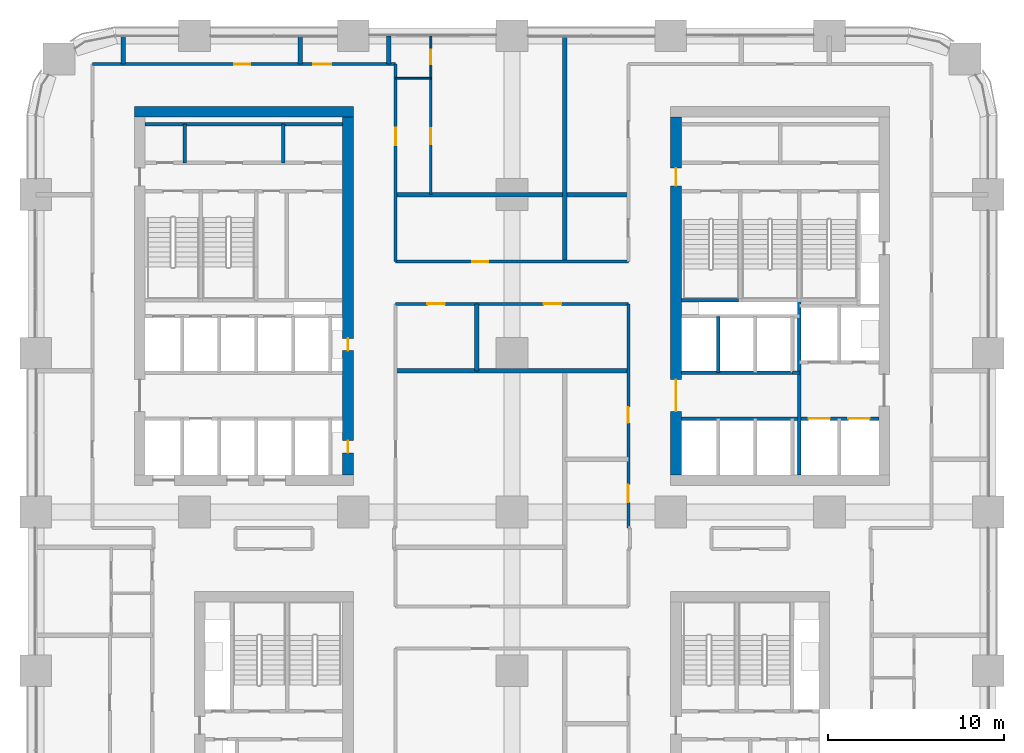
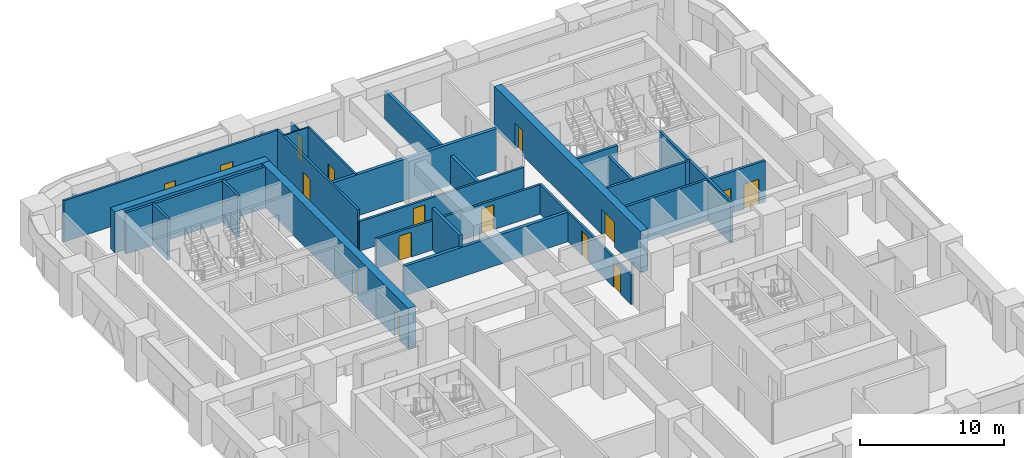
# One storey, part 17 of 21: 27 walls, 16 doors, 16 openings.
"""IFC4 building model written with IfcOpenShell, lengths in metres."""

from ifc_helpers import new_model, si_unit, direction, frame, frame_2d, origin, place, context, subcontext, project, spatial, rectangle, extrude, material, layer, layer_set, type_object, element, fill, save


model = new_model("IFC4")

# Units and contexts
model_context = context("Model", 3, precision=1e-05, world=origin(), true_north=direction((0.0, 1.0)))
body_context = subcontext(model_context, "Body", "Model", "MODEL_VIEW")
ifc_project = project(units=[si_unit("LENGTHUNIT", "METRE"), si_unit("AREAUNIT", "SQUARE_METRE"), si_unit("VOLUMEUNIT", "CUBIC_METRE"), si_unit("PLANEANGLEUNIT", "RADIAN"), si_unit("MASSUNIT", "GRAM", prefix="KILO")], contexts=[model_context])

# Site, building, storey
site_placement = place(None, origin())
site = spatial("IfcSite", under=ifc_project, at=site_placement, CompositionType="ELEMENT")
building_placement = place(site_placement, origin())
building = spatial("IfcBuilding", under=site, at=building_placement, Name="Tessera Arch", CompositionType="ELEMENT")
storey_placement = place(building_placement, frame((0.0, 0.0, 50.0)))
storey = spatial("IfcBuildingStorey", under=building, at=storey_placement, Name="L10", CompositionType="ELEMENT", Elevation=50.0)

# Walls
ifc_material_1 = material(Name="Gypsum board on steel stud", Category="steel")
ifc_layer_1 = layer(ifc_material_1, 0.125)
ifc_layer_set_1 = layer_set([ifc_layer_1], Name="Core partition 125 EI 60")
wall_type_1 = type_object("IfcWallType", Name="Core partition 125 EI 60", PredefinedType="PARTITIONING", material=ifc_layer_set_1)
wall_1_placement = place(storey_placement, frame((42.89990234375, 34.89990234375, 0.0), z_axis=(0.0, 0.0, 1.0), x_axis=(1.0, 0.0, 0.0)))
element("IfcWall", 1, at=wall_1_placement, inside=storey, type_object=wall_type_1, Name="L10 C1 partition wall 19", PredefinedType="PARTITIONING", context=body_context, shape_type="SweptSolid", body=[
    extrude(rectangle(XDim=0.400146484375, YDim=0.199951171875, at=frame_2d((0.2001953125, 0.0))), origin(), (0.0, 0.0, 1.0), 3.5),
])
for number, where, z_axis, x_axis, name in (
    (2, (8.43994140625, 46.800048828125, 0.0), (0.0, 0.0, 1.0), (0.0, 1.0, 0.0), "L10 C2 partition wall 3"),
    (3, (14.0400390625, 46.800048828125, 0.0), (0.0, 0.0, 1.0), (0.0, 1.0, 0.0), "L10 C2 partition wall 12"),
):
    element("IfcWall", number, at=place(storey_placement, frame(where, z_axis=z_axis, x_axis=x_axis)), inside=storey, type_object=wall_type_1, Name=name, PredefinedType="PARTITIONING", context=body_context, shape_type="SweptSolid", body=[
        extrude(rectangle(XDim=2.199951171875, YDim=0.199951171875, at=frame_2d((1.10009765625, 0.0))), origin(), (0.0, 0.0, 1.0), 3.5),
    ])
wall_2_placement = place(storey_placement, frame((6.199951171875, 49.0, 0.0), z_axis=(0.0, 0.0, 1.0), x_axis=(1.0, 0.0, 0.0)))
element("IfcWall", 4, at=wall_2_placement, inside=storey, type_object=wall_type_1, Name="L10 C2 partition wall 28", PredefinedType="PARTITIONING", context=body_context, shape_type="SweptSolid", body=[
    extrude(rectangle(XDim=11.199951171875, YDim=0.199951171875, at=frame_2d((5.60009765625, 0.0))), origin(), (0.0, 0.0, 1.0), 3.5),
])

# Wall, openings, doors
ifc_material_2 = material(Name="Concrete C70/85", Category="concrete")
ifc_layer_2 = layer(ifc_material_2, 0.60009765625)
ifc_layer_set_2 = layer_set([ifc_layer_2], Name="Core shell wall 600 C70-85")
wall_type_2 = type_object("IfcWallType", Name="Core shell wall 600 C70-85", PredefinedType="SHEAR", material=ifc_layer_set_2)
wall_3_placement = place(storey_placement, frame((36.300048828125, 29.10009765625, 0.0), z_axis=(0.0, 0.0, 1.0), x_axis=(0.0, 1.0, 0.0)))
wall_3 = element("IfcWall", 5, at=wall_3_placement, inside=storey, type_object=wall_type_2, Name="L10 C1 core wall W", PredefinedType="SHEAR", context=body_context, shape_type="SweptSolid", body=[
    extrude(rectangle(XDim=20.2998046875, YDim=0.60009765625, at=frame_2d((10.14990234375, 0.0))), origin(), (0.0, 0.0, 1.0), 3.5),
])
opening_1_placement = place(wall_3_placement, frame((3.60009765625, 0.0, 0.0)))
opening_1 = element("IfcOpeningElement", 6, at=opening_1_placement, cuts=wall_3, Name="Opening L10-C04", PredefinedType="OPENING", context=body_context, shape_type="SweptSolid", body=[
    extrude(rectangle(XDim=1.800048828125, YDim=2.10009765625, at=frame_2d((0.89990234375, 1.050048828125))), frame((0.0, 0.31005859375, 0.0), z_axis=(0.0, -1.0, 0.0), x_axis=(1.0, 0.0, 0.0)), (0.0, 0.0, 1.0), 0.6201171875),
])
opening_2_placement = place(wall_3_placement, frame((16.39990234375, 0.0, 0.0)))
opening_2 = element("IfcOpeningElement", 7, at=opening_2_placement, cuts=wall_3, Name="Opening L10-C11", PredefinedType="OPENING", context=body_context, shape_type="SweptSolid", body=[
    extrude(rectangle(XDim=1.0, YDim=2.10009765625, at=frame_2d((0.5, 1.050048828125))), frame((0.0, 0.31005859375, 0.0), z_axis=(0.0, -1.0, 0.0), x_axis=(1.0, 0.0, 0.0)), (0.0, 0.0, 1.0), 0.6201171875),
])
ifc_material_3 = material(Name="Steel door leaf", Category="steel")
door_type_1 = type_object("IfcDoorType", Name="Corridor door FD60 1000 x 2100", OperationType="SINGLE_SWING_LEFT", PredefinedType="DOOR", material=ifc_material_3)
door_1_placement = place(opening_2_placement, origin())
door_1 = element("IfcDoor", 8, at=door_1_placement, inside=storey, type_object=door_type_1, Name="L10 C1 door 11 C11 type D12", OperationType="SINGLE_SWING_RIGHT", OverallHeight=2.10009765625, OverallWidth=1.0, PredefinedType="DOOR", context=body_context, shape_type="SweptSolid", body=[
    extrude(rectangle(XDim=1.0, YDim=2.10009765625, at=frame_2d((0.5, 1.050048828125))), frame((0.0, 0.02490234375, 0.0), z_axis=(0.0, -1.0, 0.0), x_axis=(1.0, 0.0, 0.0)), (0.0, 0.0, 1.0), 0.050048828125),
])
fill(opening_2, door_1)
ifc_material_4 = material(Name="Glazed steel door leaf", Category="steel")
door_type_2 = type_object("IfcDoorType", Name="Lobby double door FD30S 1800 x 2100", OperationType="DOUBLE_DOOR_SINGLE_SWING", PredefinedType="DOOR", material=ifc_material_4)
door_2_placement = place(opening_1_placement, origin())
door_2 = element("IfcDoor", 9, at=door_2_placement, inside=storey, type_object=door_type_2, Name="L10 C1 door 4 C04 type D06", OperationType="DOUBLE_DOOR_SINGLE_SWING", OverallHeight=2.10009765625, OverallWidth=1.800048828125, PredefinedType="DOOR", context=body_context, shape_type="SweptSolid", body=[
    extrude(rectangle(XDim=1.800048828125, YDim=2.10009765625, at=frame_2d((0.89990234375, 1.050048828125))), frame((0.0, 0.02490234375, 0.0), z_axis=(0.0, -1.0, 0.0), x_axis=(1.0, 0.0, 0.0)), (0.0, 0.0, 1.0), 0.050048828125),
])
fill(opening_1, door_2)

# Wall
wall_4_placement = place(storey_placement, frame((5.60009765625, 49.699951171875, 0.0), z_axis=(0.0, 0.0, 1.0), x_axis=(1.0, 0.0, 0.0)))
element("IfcWall", 10, at=wall_4_placement, inside=storey, type_object=wall_type_2, Name="L10 C2 core wall N", PredefinedType="SHEAR", context=body_context, shape_type="SweptSolid", body=[
    extrude(rectangle(XDim=12.39990234375, YDim=0.60009765625, at=frame_2d((6.199951171875, 0.0))), origin(), (0.0, 0.0, 1.0), 3.5),
])

# Wall, openings, doors
wall_5_placement = place(storey_placement, frame((17.699951171875, 29.10009765625, 0.0), z_axis=(0.0, 0.0, 1.0), x_axis=(0.0, 1.0, 0.0)))
wall_5 = element("IfcWall", 11, at=wall_5_placement, inside=storey, type_object=wall_type_2, Name="L10 C2 core wall E", PredefinedType="SHEAR", context=body_context, shape_type="SweptSolid", body=[
    extrude(rectangle(XDim=20.2998046875, YDim=0.60009765625, at=frame_2d((10.14990234375, 0.0))), origin(), (0.0, 0.0, 1.0), 3.5),
])
opening_3_placement = place(wall_5_placement, frame((1.25, 0.0, 0.0)))
opening_3 = element("IfcOpeningElement", 12, at=opening_3_placement, cuts=wall_5, Name="Opening L10-C22", PredefinedType="OPENING", context=body_context, shape_type="SweptSolid", body=[
    extrude(rectangle(XDim=0.699951171875, YDim=2.10009765625, at=frame_2d((0.35009765625, 1.050048828125))), frame((0.0, 0.31005859375, 0.0), z_axis=(0.0, -1.0, 0.0), x_axis=(1.0, 0.0, 0.0)), (0.0, 0.0, 1.0), 0.6201171875),
])
opening_4_placement = place(wall_5_placement, frame((7.050048828125, 0.0, 0.0)))
opening_4 = element("IfcOpeningElement", 13, at=opening_4_placement, cuts=wall_5, Name="Opening L10-C23", PredefinedType="OPENING", context=body_context, shape_type="SweptSolid", body=[
    extrude(rectangle(XDim=0.699951171875, YDim=2.10009765625, at=frame_2d((0.35009765625, 1.050048828125))), frame((0.0, 0.31005859375, 0.0), z_axis=(0.0, -1.0, 0.0), x_axis=(1.0, 0.0, 0.0)), (0.0, 0.0, 1.0), 0.6201171875),
])
ifc_material_5 = material(Name="Steel door leaf", Category="steel")
door_type_3 = type_object("IfcDoorType", Name="Service shaft door FD60 700 x 2100", OperationType="SINGLE_SWING_LEFT", PredefinedType="DOOR", material=ifc_material_5)
door_3_placement = place(opening_3_placement, origin())
door_3 = element("IfcDoor", 14, at=door_3_placement, inside=storey, type_object=door_type_3, Name="L10 C2 door 9 C22 type D07", OperationType="SINGLE_SWING_LEFT", OverallHeight=2.10009765625, OverallWidth=0.699951171875, PredefinedType="DOOR", context=body_context, shape_type="SweptSolid", body=[
    extrude(rectangle(XDim=0.699951171875, YDim=2.10009765625, at=frame_2d((0.35009765625, 1.050048828125))), frame((0.0, 0.02490234375, 0.0), z_axis=(0.0, -1.0, 0.0), x_axis=(1.0, 0.0, 0.0)), (0.0, 0.0, 1.0), 0.050048828125),
])
fill(opening_3, door_3)
door_4_placement = place(opening_4_placement, origin())
door_4 = element("IfcDoor", 15, at=door_4_placement, inside=storey, type_object=door_type_3, Name="L10 C2 door 10 C23 type D07", OperationType="SINGLE_SWING_LEFT", OverallHeight=2.10009765625, OverallWidth=0.699951171875, PredefinedType="DOOR", context=body_context, shape_type="SweptSolid", body=[
    extrude(rectangle(XDim=0.699951171875, YDim=2.10009765625, at=frame_2d((0.35009765625, 1.050048828125))), frame((0.0, 0.02490234375, 0.0), z_axis=(0.0, -1.0, 0.0), x_axis=(1.0, 0.0, 0.0)), (0.0, 0.0, 1.0), 0.050048828125),
])
fill(opening_4, door_4)

ifc_material_6 = material(Name="Gypsum board on deep steel stud with mineral wool", Category="steel")
ifc_layer_3 = layer(ifc_material_6, 0.175048828125)
ifc_layer_set_3 = layer_set([ifc_layer_3], Name="Corridor wall 175 EI 60")
wall_type_3 = type_object("IfcWallType", Name="Corridor wall 175 EI 60", PredefinedType="PARTITIONING", material=ifc_layer_set_3)
wall_6_placement = place(storey_placement, frame((20.39990234375, 38.800048828125, 0.0), z_axis=(0.0, 0.0, 1.0), x_axis=(1.0, 0.0, 0.0)))
wall_6 = element("IfcWall", 16, at=wall_6_placement, inside=storey, type_object=wall_type_3, Name="L10 partition 17", PredefinedType="PARTITIONING", context=body_context, shape_type="SweptSolid", body=[
    extrude(rectangle(XDim=13.2001953125, YDim=0.175048828125, at=frame_2d((6.60009765625, 0.0))), origin(), (0.0, 0.0, 1.0), 2.5),
])
opening_5_placement = place(wall_6_placement, frame((1.800048828125, 0.0, 0.0)))
opening_5 = element("IfcOpeningElement", 17, at=opening_5_placement, cuts=wall_6, Name="Opening L10-D029", PredefinedType="OPENING", context=body_context, shape_type="SweptSolid", body=[
    extrude(rectangle(XDim=1.0, YDim=2.10009765625, at=frame_2d((0.5, 1.050048828125))), frame((0.0, 0.097412109375, 0.0), z_axis=(0.0, -1.0, 0.0), x_axis=(1.0, 0.0, 0.0)), (0.0, 0.0, 1.0), 0.195068359375),
])
opening_6_placement = place(wall_6_placement, frame((8.39990234375, 0.0, 0.0)))
opening_6 = element("IfcOpeningElement", 18, at=opening_6_placement, cuts=wall_6, Name="Opening L10-D030", PredefinedType="OPENING", context=body_context, shape_type="SweptSolid", body=[
    extrude(rectangle(XDim=1.0, YDim=2.10009765625, at=frame_2d((0.5, 1.050048828125))), frame((0.0, 0.097412109375, 0.0), z_axis=(0.0, -1.0, 0.0), x_axis=(1.0, 0.0, 0.0)), (0.0, 0.0, 1.0), 0.195068359375),
])
ifc_material_7 = material(Name="Fire-rated door leaf")
door_type_4 = type_object("IfcDoorType", Name="Entrance door FD30S 1000 x 2100", OperationType="SINGLE_SWING_LEFT", PredefinedType="DOOR", material=ifc_material_7)
door_5_placement = place(opening_5_placement, origin())
door_5 = element("IfcDoor", 19, at=door_5_placement, inside=storey, type_object=door_type_4, Name="L10 door D029 type D03", OperationType="SINGLE_SWING_RIGHT", OverallHeight=2.10009765625, OverallWidth=1.0, PredefinedType="DOOR", context=body_context, shape_type="SweptSolid", body=[
    extrude(rectangle(XDim=1.0, YDim=2.10009765625, at=frame_2d((0.5, 1.050048828125))), frame((0.0, 0.02490234375, 0.0), z_axis=(0.0, -1.0, 0.0), x_axis=(1.0, 0.0, 0.0)), (0.0, 0.0, 1.0), 0.050048828125),
])
fill(opening_5, door_5)
door_6_placement = place(opening_6_placement, origin())
door_6 = element("IfcDoor", 20, at=door_6_placement, inside=storey, type_object=door_type_4, Name="L10 door D030 type D03", OperationType="SINGLE_SWING_LEFT", OverallHeight=2.10009765625, OverallWidth=1.0, PredefinedType="DOOR", context=body_context, shape_type="SweptSolid", body=[
    extrude(rectangle(XDim=1.0, YDim=2.10009765625, at=frame_2d((0.5, 1.050048828125))), frame((0.0, 0.02490234375, 0.0), z_axis=(0.0, -1.0, 0.0), x_axis=(1.0, 0.0, 0.0)), (0.0, 0.0, 1.0), 0.050048828125),
])
fill(opening_6, door_6)

# Wall, opening, door
wall_7_placement = place(storey_placement, frame((20.39990234375, 41.199951171875, 0.0), z_axis=(0.0, 0.0, 1.0), x_axis=(1.0, 0.0, 0.0)))
wall_7 = element("IfcWall", 21, at=wall_7_placement, inside=storey, type_object=wall_type_3, Name="L10 partition 18", PredefinedType="PARTITIONING", context=body_context, shape_type="SweptSolid", body=[
    extrude(rectangle(XDim=13.2001953125, YDim=0.175048828125, at=frame_2d((6.60009765625, 0.0))), origin(), (0.0, 0.0, 1.0), 2.5),
])
opening_7_placement = place(wall_7_placement, frame((4.35009765625, 0.0, 0.0)))
opening_7 = element("IfcOpeningElement", 22, at=opening_7_placement, cuts=wall_7, Name="Opening L10-D033", PredefinedType="OPENING", context=body_context, shape_type="SweptSolid", body=[
    extrude(rectangle(XDim=0.89990234375, YDim=2.10009765625, at=frame_2d((0.449951171875, 1.050048828125))), frame((0.0, 0.097412109375, 0.0), z_axis=(0.0, -1.0, 0.0), x_axis=(1.0, 0.0, 0.0)), (0.0, 0.0, 1.0), 0.195068359375),
])
ifc_material_8 = material(Name="Timber door leaf", Category="wood")
door_type_5 = type_object("IfcDoorType", Name="Room door 900 x 2100", OperationType="SINGLE_SWING_LEFT", PredefinedType="DOOR", material=ifc_material_8)
door_7_placement = place(opening_7_placement, origin())
door_7 = element("IfcDoor", 23, at=door_7_placement, inside=storey, type_object=door_type_5, Name="L10 door D033 type D01", OperationType="SINGLE_SWING_LEFT", OverallHeight=2.10009765625, OverallWidth=0.89990234375, PredefinedType="DOOR", context=body_context, shape_type="SweptSolid", body=[
    extrude(rectangle(XDim=0.89990234375, YDim=2.10009765625, at=frame_2d((0.449951171875, 1.050048828125))), frame((0.0, 0.02490234375, 0.0), z_axis=(0.0, -1.0, 0.0), x_axis=(1.0, 0.0, 0.0)), (0.0, 0.0, 1.0), 0.050048828125),
])
fill(opening_7, door_7)

# Wall, openings, doors
wall_8_placement = place(storey_placement, frame((3.199951171875, 52.39990234375, 0.0), z_axis=(0.0, 0.0, 1.0), x_axis=(1.0, 0.0, 0.0)))
wall_8 = element("IfcWall", 24, at=wall_8_placement, inside=storey, type_object=wall_type_3, Name="L10 partition 19", PredefinedType="PARTITIONING", context=body_context, shape_type="SweptSolid", body=[
    extrude(rectangle(XDim=17.199951171875, YDim=0.175048828125, at=frame_2d((8.60009765625, 0.0))), origin(), (0.0, 0.0, 1.0), 3.5),
])
opening_8_placement = place(wall_8_placement, frame((8.0576171875, 0.0, 0.0)))
opening_8 = element("IfcOpeningElement", 25, at=opening_8_placement, cuts=wall_8, Name="Opening L10-D041", PredefinedType="OPENING", context=body_context, shape_type="SweptSolid", body=[
    extrude(rectangle(XDim=0.89990234375, YDim=2.10009765625, at=frame_2d((0.449951171875, 1.050048828125))), frame((0.0, 0.097412109375, 0.0), z_axis=(0.0, -1.0, 0.0), x_axis=(1.0, 0.0, 0.0)), (0.0, 0.0, 1.0), 0.195068359375),
])
opening_9_placement = place(wall_8_placement, frame((12.5400390625, 0.0, 0.0)))
opening_9 = element("IfcOpeningElement", 26, at=opening_9_placement, cuts=wall_8, Name="Opening L10-D042", PredefinedType="OPENING", context=body_context, shape_type="SweptSolid", body=[
    extrude(rectangle(XDim=1.0, YDim=2.10009765625, at=frame_2d((0.5, 1.050048828125))), frame((0.0, 0.097412109375, 0.0), z_axis=(0.0, -1.0, 0.0), x_axis=(1.0, 0.0, 0.0)), (0.0, 0.0, 1.0), 0.195068359375),
])
door_8_placement = place(opening_9_placement, origin())
door_8 = element("IfcDoor", 27, at=door_8_placement, inside=storey, type_object=door_type_4, Name="L10 door D042 type D03", OperationType="SINGLE_SWING_RIGHT", OverallHeight=2.10009765625, OverallWidth=1.0, PredefinedType="DOOR", context=body_context, shape_type="SweptSolid", body=[
    extrude(rectangle(XDim=1.0, YDim=2.10009765625, at=frame_2d((0.5, 1.050048828125))), frame((0.0, 0.02490234375, 0.0), z_axis=(0.0, -1.0, 0.0), x_axis=(1.0, 0.0, 0.0)), (0.0, 0.0, 1.0), 0.050048828125),
])
fill(opening_9, door_8)
door_9_placement = place(opening_8_placement, origin())
door_9 = element("IfcDoor", 28, at=door_9_placement, inside=storey, type_object=door_type_5, Name="L10 door D041 type D01", OperationType="SINGLE_SWING_LEFT", OverallHeight=2.10009765625, OverallWidth=0.89990234375, PredefinedType="DOOR", context=body_context, shape_type="SweptSolid", body=[
    extrude(rectangle(XDim=0.89990234375, YDim=2.10009765625, at=frame_2d((0.449951171875, 1.050048828125))), frame((0.0, 0.02490234375, 0.0), z_axis=(0.0, -1.0, 0.0), x_axis=(1.0, 0.0, 0.0)), (0.0, 0.0, 1.0), 0.050048828125),
])
fill(opening_8, door_9)

# Wall, opening, door
wall_9_placement = place(storey_placement, frame((20.39990234375, 41.199951171875, 0.0), z_axis=(0.0, 0.0, 1.0), x_axis=(0.0, 1.0, 0.0)))
wall_9 = element("IfcWall", 29, at=wall_9_placement, inside=storey, type_object=wall_type_3, Name="L10 partition 30", PredefinedType="PARTITIONING", context=body_context, shape_type="SweptSolid", body=[
    extrude(rectangle(XDim=11.199951171875, YDim=0.175048828125, at=frame_2d((5.60009765625, 0.0))), origin(), (0.0, 0.0, 1.0), 3.5),
])
opening_10_placement = place(wall_9_placement, frame((6.60009765625, 0.0, 0.0)))
opening_10 = element("IfcOpeningElement", 30, at=opening_10_placement, cuts=wall_9, Name="Opening L10-D036", PredefinedType="OPENING", context=body_context, shape_type="SweptSolid", body=[
    extrude(rectangle(XDim=1.0, YDim=2.10009765625, at=frame_2d((0.5, 1.050048828125))), frame((0.0, 0.097412109375, 0.0), z_axis=(0.0, -1.0, 0.0), x_axis=(1.0, 0.0, 0.0)), (0.0, 0.0, 1.0), 0.195068359375),
])
door_10_placement = place(opening_10_placement, origin())
door_10 = element("IfcDoor", 31, at=door_10_placement, inside=storey, type_object=door_type_4, Name="L10 door D036 type D03", OperationType="SINGLE_SWING_LEFT", OverallHeight=2.10009765625, OverallWidth=1.0, PredefinedType="DOOR", context=body_context, shape_type="SweptSolid", body=[
    extrude(rectangle(XDim=1.0, YDim=2.10009765625, at=frame_2d((0.5, 1.050048828125))), frame((0.0, 0.02490234375, 0.0), z_axis=(0.0, -1.0, 0.0), x_axis=(1.0, 0.0, 0.0)), (0.0, 0.0, 1.0), 0.050048828125),
])
fill(opening_10, door_10)

# Wall, openings, doors
wall_10_placement = place(storey_placement, frame((33.60009765625, 26.10009765625, 0.0), z_axis=(0.0, 0.0, 1.0), x_axis=(0.0, 1.0, 0.0)))
wall_10 = element("IfcWall", 32, at=wall_10_placement, inside=storey, type_object=wall_type_3, Name="L10 partition 33", PredefinedType="PARTITIONING", context=body_context, shape_type="SweptSolid", body=[
    extrude(rectangle(XDim=12.699951171875, YDim=0.175048828125, at=frame_2d((6.35009765625, 0.0))), origin(), (0.0, 0.0, 1.0), 2.5),
])
opening_11_placement = place(wall_10_placement, frame((1.449951171875, 0.0, 0.0)))
opening_11 = element("IfcOpeningElement", 33, at=opening_11_placement, cuts=wall_10, Name="Opening L10-D024", PredefinedType="OPENING", context=body_context, shape_type="SweptSolid", body=[
    extrude(rectangle(XDim=1.0, YDim=2.10009765625, at=frame_2d((0.5, 1.050048828125))), frame((0.0, 0.097412109375, 0.0), z_axis=(0.0, -1.0, 0.0), x_axis=(1.0, 0.0, 0.0)), (0.0, 0.0, 1.0), 0.195068359375),
])
opening_12_placement = place(wall_10_placement, frame((5.949951171875, 0.0, 0.0)))
opening_12 = element("IfcOpeningElement", 34, at=opening_12_placement, cuts=wall_10, Name="Opening L10-D027", PredefinedType="OPENING", context=body_context, shape_type="SweptSolid", body=[
    extrude(rectangle(XDim=0.89990234375, YDim=2.10009765625, at=frame_2d((0.449951171875, 1.050048828125))), frame((0.0, 0.097412109375, 0.0), z_axis=(0.0, -1.0, 0.0), x_axis=(1.0, 0.0, 0.0)), (0.0, 0.0, 1.0), 0.195068359375),
])
door_11_placement = place(opening_11_placement, origin())
door_11 = element("IfcDoor", 35, at=door_11_placement, inside=storey, type_object=door_type_4, Name="L10 door D024 type D03", OperationType="SINGLE_SWING_RIGHT", OverallHeight=2.10009765625, OverallWidth=1.0, PredefinedType="DOOR", context=body_context, shape_type="SweptSolid", body=[
    extrude(rectangle(XDim=1.0, YDim=2.10009765625, at=frame_2d((0.5, 1.050048828125))), frame((0.0, 0.02490234375, 0.0), z_axis=(0.0, -1.0, 0.0), x_axis=(1.0, 0.0, 0.0)), (0.0, 0.0, 1.0), 0.050048828125),
])
fill(opening_11, door_11)
door_12_placement = place(opening_12_placement, origin())
door_12 = element("IfcDoor", 36, at=door_12_placement, inside=storey, type_object=door_type_5, Name="L10 door D027 type D01", OperationType="SINGLE_SWING_LEFT", OverallHeight=2.10009765625, OverallWidth=0.89990234375, PredefinedType="DOOR", context=body_context, shape_type="SweptSolid", body=[
    extrude(rectangle(XDim=0.89990234375, YDim=2.10009765625, at=frame_2d((0.449951171875, 1.050048828125))), frame((0.0, 0.02490234375, 0.0), z_axis=(0.0, -1.0, 0.0), x_axis=(1.0, 0.0, 0.0)), (0.0, 0.0, 1.0), 0.050048828125),
])
fill(opening_12, door_12)

# Wall, opening, door
ifc_material_9 = material(Name="Gypsum board on steel stud", Category="steel")
ifc_layer_4 = layer(ifc_material_9, 0.14990234375)
ifc_layer_set_4 = layer_set([ifc_layer_4], Name="Partition 150")
wall_type_4 = type_object("IfcWallType", Name="Partition 150", PredefinedType="PARTITIONING", material=ifc_layer_set_4)
wall_11_placement = place(storey_placement, frame((22.39990234375, 45.0, 0.0), z_axis=(0.0, 0.0, 1.0), x_axis=(0.0, 1.0, 0.0)))
wall_11 = element("IfcWall", 37, at=wall_11_placement, inside=storey, type_object=wall_type_4, Name="L10 partition 44", PredefinedType="PARTITIONING", context=body_context, shape_type="SweptSolid", body=[
    extrude(rectangle(XDim=6.60009765625, YDim=0.14990234375, at=frame_2d((3.300048828125, 0.0))), origin(), (0.0, 0.0, 1.0), 3.5),
])
opening_13_placement = place(wall_11_placement, frame((2.85009765625, 0.0, 0.0)))
opening_13 = element("IfcOpeningElement", 38, at=opening_13_placement, cuts=wall_11, Name="Opening L10-D037", PredefinedType="OPENING", context=body_context, shape_type="SweptSolid", body=[
    extrude(rectangle(XDim=0.89990234375, YDim=2.10009765625, at=frame_2d((0.449951171875, 1.050048828125))), frame((0.0, 0.0849609375, 0.0), z_axis=(0.0, -1.0, 0.0), x_axis=(1.0, 0.0, 0.0)), (0.0, 0.0, 1.0), 0.169921875),
])
door_13_placement = place(opening_13_placement, origin())
door_13 = element("IfcDoor", 39, at=door_13_placement, inside=storey, type_object=door_type_5, Name="L10 door D037 type D01", OperationType="SINGLE_SWING_RIGHT", OverallHeight=2.10009765625, OverallWidth=0.89990234375, PredefinedType="DOOR", context=body_context, shape_type="SweptSolid", body=[
    extrude(rectangle(XDim=0.89990234375, YDim=2.10009765625, at=frame_2d((0.449951171875, 1.050048828125))), frame((0.0, 0.02490234375, 0.0), z_axis=(0.0, -1.0, 0.0), x_axis=(1.0, 0.0, 0.0)), (0.0, 0.0, 1.0), 0.050048828125),
])
fill(opening_13, door_13)

# Walls
ifc_material_10 = material(Name="Double gypsum board on twin steel stud with acoustic mineral wool", Category="steel")
ifc_layer_5 = layer(ifc_material_10, 0.25)
ifc_layer_set_5 = layer_set([ifc_layer_5], Name="Party wall 250 EI 60")
wall_type_5 = type_object("IfcWallType", Name="Party wall 250 EI 60", PredefinedType="PARTITIONING", material=ifc_layer_set_5)
wall_12_placement = place(storey_placement, frame((20.39990234375, 35.0, 0.0), z_axis=(0.0, 0.0, 1.0), x_axis=(1.0, 0.0, 0.0)))
element("IfcWall", 40, at=wall_12_placement, inside=storey, type_object=wall_type_5, Name="L10 partition 58", PredefinedType="PARTITIONING", context=body_context, shape_type="SweptSolid", body=[
    extrude(rectangle(XDim=13.2001953125, YDim=0.25, at=frame_2d((6.60009765625, 0.0))), origin(), (0.0, 0.0, 1.0), 2.5),
])
wall_13_placement = place(storey_placement, frame((20.39990234375, 45.0, 0.0), z_axis=(0.0, 0.0, 1.0), x_axis=(1.0, 0.0, 0.0)))
element("IfcWall", 41, at=wall_13_placement, inside=storey, type_object=wall_type_5, Name="L10 partition 61", PredefinedType="PARTITIONING", context=body_context, shape_type="SweptSolid", body=[
    extrude(rectangle(XDim=13.2001953125, YDim=0.25, at=frame_2d((6.60009765625, 0.0))), origin(), (0.0, 0.0, 1.0), 3.5),
])
for number, where, z_axis, x_axis, name in (
    (42, (4.9580078125, 52.39990234375, 0.0), (0.0, 0.0, 1.0), (0.0, 1.0, 0.0), "L10 partition 63"),
    (43, (15.0, 52.39990234375, 0.0), (0.0, 0.0, 1.0), (0.0, 1.0, 0.0), "L10 partition 65"),
    (44, (20.0, 52.39990234375, 0.0), (0.0, 0.0, 1.0), (0.0, 1.0, 0.0), "L10 partition 67"),
):
    element("IfcWall", number, at=place(storey_placement, frame(where, z_axis=z_axis, x_axis=x_axis)), inside=storey, type_object=wall_type_5, Name=name, PredefinedType="PARTITIONING", context=body_context, shape_type="SweptSolid", body=[
        extrude(rectangle(XDim=1.60009765625, YDim=0.25, at=frame_2d((0.800048828125, 0.0))), origin(), (0.0, 0.0, 1.0), 2.5),
    ])
wall_14_placement = place(storey_placement, frame((25.0, 35.0, 0.0), z_axis=(0.0, 0.0, 1.0), x_axis=(0.0, 1.0, 0.0)))
element("IfcWall", 45, at=wall_14_placement, inside=storey, type_object=wall_type_5, Name="L10 partition 68", PredefinedType="PARTITIONING", context=body_context, shape_type="SweptSolid", body=[
    extrude(rectangle(XDim=3.800048828125, YDim=0.25, at=frame_2d((1.89990234375, 0.0))), origin(), (0.0, 0.0, 1.0), 3.5),
])
wall_15_placement = place(storey_placement, frame((30.0, 41.199951171875, 0.0), z_axis=(0.0, 0.0, 1.0), x_axis=(0.0, 1.0, 0.0)))
element("IfcWall", 46, at=wall_15_placement, inside=storey, type_object=wall_type_5, Name="L10 partition 71", PredefinedType="PARTITIONING", context=body_context, shape_type="SweptSolid", body=[
    extrude(rectangle(XDim=12.800048828125, YDim=0.25, at=frame_2d((6.39990234375, 0.0))), origin(), (0.0, 0.0, 1.0), 2.5),
])
ifc_material_11 = material(Name="Concrete C40/50", Category="concrete")
ifc_layer_6 = layer(ifc_material_11, 0.199951171875)
ifc_layer_set_6 = layer_set([ifc_layer_6], Name="Shaft wall 200 EI 120")
wall_type_6 = type_object("IfcWallType", Name="Shaft wall 200 EI 120", PredefinedType="SOLIDWALL", material=ifc_layer_set_6)
wall_16_placement = place(storey_placement, frame((38.699951171875, 34.89990234375, 0.0), z_axis=(0.0, 0.0, 1.0), x_axis=(0.0, 1.0, 0.0)))
element("IfcWall", 47, at=wall_16_placement, inside=storey, type_object=wall_type_6, Name="L10 C1 shaft wall 2", PredefinedType="SOLIDWALL", context=body_context, shape_type="SweptSolid", body=[
    extrude(rectangle(XDim=3.2001953125, YDim=0.199951171875, at=frame_2d((1.60009765625, 0.0))), origin(), (0.0, 0.0, 1.0), 3.5),
])
wall_17_placement = place(storey_placement, frame((43.300048828125, 29.10009765625, 0.0), z_axis=(0.0, 0.0, 1.0), x_axis=(0.0, 1.0, 0.0)))
element("IfcWall", 48, at=wall_17_placement, inside=storey, type_object=wall_type_6, Name="L10 C1 shaft wall 10", PredefinedType="SOLIDWALL", context=body_context, shape_type="SweptSolid", body=[
    extrude(rectangle(XDim=9.89990234375, YDim=0.199951171875, at=frame_2d((4.949951171875, 0.0))), origin(), (0.0, 0.0, 1.0), 3.5),
])

# Wall, openings, doors
wall_18_placement = place(storey_placement, frame((36.60009765625, 32.300048828125, 0.0), z_axis=(0.0, 0.0, 1.0), x_axis=(1.0, 0.0, 0.0)))
wall_18 = element("IfcWall", 49, at=wall_18_placement, inside=storey, type_object=wall_type_6, Name="L10 C1 shaft wall 18", PredefinedType="SOLIDWALL", context=body_context, shape_type="SweptSolid", body=[
    extrude(rectangle(XDim=11.199951171875, YDim=0.199951171875, at=frame_2d((5.60009765625, 0.0))), origin(), (0.0, 0.0, 1.0), 3.5),
])
opening_14_placement = place(wall_18_placement, frame((7.22509765625, 0.0, 0.0)))
opening_14 = element("IfcOpeningElement", 50, at=opening_14_placement, cuts=wall_18, Name="Opening L10-C01", PredefinedType="OPENING", context=body_context, shape_type="SweptSolid", body=[
    extrude(rectangle(XDim=1.199951171875, YDim=2.10009765625, at=frame_2d((0.60009765625, 1.050048828125))), frame((0.0, 0.10986328125, 0.0), z_axis=(0.0, -1.0, 0.0), x_axis=(1.0, 0.0, 0.0)), (0.0, 0.0, 1.0), 0.219970703125),
])
opening_15_placement = place(wall_18_placement, frame((9.47509765625, 0.0, 0.0)))
opening_15 = element("IfcOpeningElement", 51, at=opening_15_placement, cuts=wall_18, Name="Opening L10-C02", PredefinedType="OPENING", context=body_context, shape_type="SweptSolid", body=[
    extrude(rectangle(XDim=1.199951171875, YDim=2.10009765625, at=frame_2d((0.60009765625, 1.050048828125))), frame((0.0, 0.10986328125, 0.0), z_axis=(0.0, -1.0, 0.0), x_axis=(1.0, 0.0, 0.0)), (0.0, 0.0, 1.0), 0.219970703125),
])
ifc_material_12 = material(Name="Stainless steel AISI 304", Category="steel")
door_type_6 = type_object("IfcDoorType", Name="Sliding landing door 1200 x 2100", OperationType="SLIDING_TO_LEFT", PredefinedType="DOOR", material=ifc_material_12)
door_14_placement = place(opening_14_placement, origin())
door_14 = element("IfcDoor", 52, at=door_14_placement, inside=storey, type_object=door_type_6, Name="L10 FF1 lift landing door C01 type LD", OperationType="SLIDING_TO_LEFT", OverallHeight=2.10009765625, OverallWidth=1.199951171875, PredefinedType="DOOR", context=body_context, shape_type="SweptSolid", body=[
    extrude(rectangle(XDim=1.199951171875, YDim=2.10009765625, at=frame_2d((0.60009765625, 1.050048828125))), frame((0.0, 0.02490234375, 0.0), z_axis=(0.0, -1.0, 0.0), x_axis=(1.0, 0.0, 0.0)), (0.0, 0.0, 1.0), 0.050048828125),
])
fill(opening_14, door_14)
door_15_placement = place(opening_15_placement, origin())
door_15 = element("IfcDoor", 53, at=door_15_placement, inside=storey, type_object=door_type_6, Name="L10 FF2 lift landing door C02 type LD", OperationType="SLIDING_TO_LEFT", OverallHeight=2.10009765625, OverallWidth=1.199951171875, PredefinedType="DOOR", context=body_context, shape_type="SweptSolid", body=[
    extrude(rectangle(XDim=1.199951171875, YDim=2.10009765625, at=frame_2d((0.60009765625, 1.050048828125))), frame((0.0, 0.02490234375, 0.0), z_axis=(0.0, -1.0, 0.0), x_axis=(1.0, 0.0, 0.0)), (0.0, 0.0, 1.0), 0.050048828125),
])
fill(opening_15, door_15)

# Walls
wall_19_placement = place(storey_placement, frame((36.60009765625, 34.89990234375, 0.0), z_axis=(0.0, 0.0, 1.0), x_axis=(1.0, 0.0, 0.0)))
element("IfcWall", 54, at=wall_19_placement, inside=storey, type_object=wall_type_6, Name="L10 C1 shaft wall 20", PredefinedType="SOLIDWALL", context=body_context, shape_type="SweptSolid", body=[
    extrude(rectangle(XDim=6.2998046875, YDim=0.199951171875, at=frame_2d((3.14990234375, 0.0))), origin(), (0.0, 0.0, 1.0), 3.5),
])
ifc_material_13 = material(Name="Concrete C40/50", Category="concrete")
ifc_layer_7 = layer(ifc_material_13, 0.199951171875)
ifc_layer_set_7 = layer_set([ifc_layer_7], Name="Stair well wall 200 REI 180")
wall_type_7 = type_object("IfcWallType", Name="Stair well wall 200 REI 180", PredefinedType="SOLIDWALL", material=ifc_layer_set_7)
wall_20_placement = place(storey_placement, frame((36.60009765625, 39.0, 0.0), z_axis=(0.0, 0.0, 1.0), x_axis=(1.0, 0.0, 0.0)))
element("IfcWall", 55, at=wall_20_placement, inside=storey, type_object=wall_type_7, Name="L10 C1 shaft wall 24", PredefinedType="SOLIDWALL", context=body_context, shape_type="SweptSolid", body=[
    extrude(rectangle(XDim=3.25, YDim=0.199951171875, at=frame_2d((1.625, 0.0))), origin(), (0.0, 0.0, 1.0), 3.5),
])
ifc_material_14 = material(Name="Moisture-resistant board on pre-plumbed steel stud", Category="steel")
ifc_layer_8 = layer(ifc_material_14, 0.10009765625)
ifc_layer_set_8 = layer_set([ifc_layer_8], Name="Wet wall 100")
wall_type_8 = type_object("IfcWallType", Name="Wet wall 100", PredefinedType="PARTITIONING", material=ifc_layer_set_8)
wall_21_placement = place(storey_placement, frame((20.39990234375, 51.60009765625, 0.0), z_axis=(0.0, 0.0, 1.0), x_axis=(1.0, 0.0, 0.0)))
element("IfcWall", 56, at=wall_21_placement, inside=storey, type_object=wall_type_8, Name="L10 partition 80", PredefinedType="PARTITIONING", context=body_context, shape_type="SweptSolid", body=[
    extrude(rectangle(XDim=2.0, YDim=0.10009765625, at=frame_2d((1.0, 0.0))), origin(), (0.0, 0.0, 1.0), 3.5),
])

# Wall, opening, door
wall_22_placement = place(storey_placement, frame((22.39990234375, 51.60009765625, 0.0), z_axis=(0.0, 0.0, 1.0), x_axis=(0.0, 1.0, 0.0)))
wall_22 = element("IfcWall", 57, at=wall_22_placement, inside=storey, type_object=wall_type_8, Name="L10 partition 84", PredefinedType="PARTITIONING", context=body_context, shape_type="SweptSolid", body=[
    extrude(rectangle(XDim=2.39990234375, YDim=0.10009765625, at=frame_2d((1.199951171875, 0.0))), origin(), (0.0, 0.0, 1.0), 2.5),
])
opening_16_placement = place(wall_22_placement, frame((0.800048828125, 0.0, 0.0)))
opening_16 = element("IfcOpeningElement", 58, at=opening_16_placement, cuts=wall_22, Name="Opening L10-D038", PredefinedType="OPENING", context=body_context, shape_type="SweptSolid", body=[
    extrude(rectangle(XDim=0.800048828125, YDim=2.10009765625, at=frame_2d((0.39990234375, 1.050048828125))), frame((0.0, 0.06005859375, 0.0), z_axis=(0.0, -1.0, 0.0), x_axis=(1.0, 0.0, 0.0)), (0.0, 0.0, 1.0), 0.1201171875),
])
ifc_material_15 = material(Name="Timber door leaf", Category="wood")
door_type_7 = type_object("IfcDoorType", Name="En-suite door 800 x 2100", OperationType="SINGLE_SWING_LEFT", PredefinedType="DOOR", material=ifc_material_15)
door_16_placement = place(opening_16_placement, origin())
door_16 = element("IfcDoor", 59, at=door_16_placement, inside=storey, type_object=door_type_7, Name="L10 door D038 type D02", OperationType="SINGLE_SWING_LEFT", OverallHeight=2.10009765625, OverallWidth=0.800048828125, PredefinedType="DOOR", context=body_context, shape_type="SweptSolid", body=[
    extrude(rectangle(XDim=0.800048828125, YDim=2.10009765625, at=frame_2d((0.39990234375, 1.050048828125))), frame((0.0, 0.02490234375, 0.0), z_axis=(0.0, -1.0, 0.0), x_axis=(1.0, 0.0, 0.0)), (0.0, 0.0, 1.0), 0.050048828125),
])
fill(opening_16, door_16)

save(model, "model.ifc")
